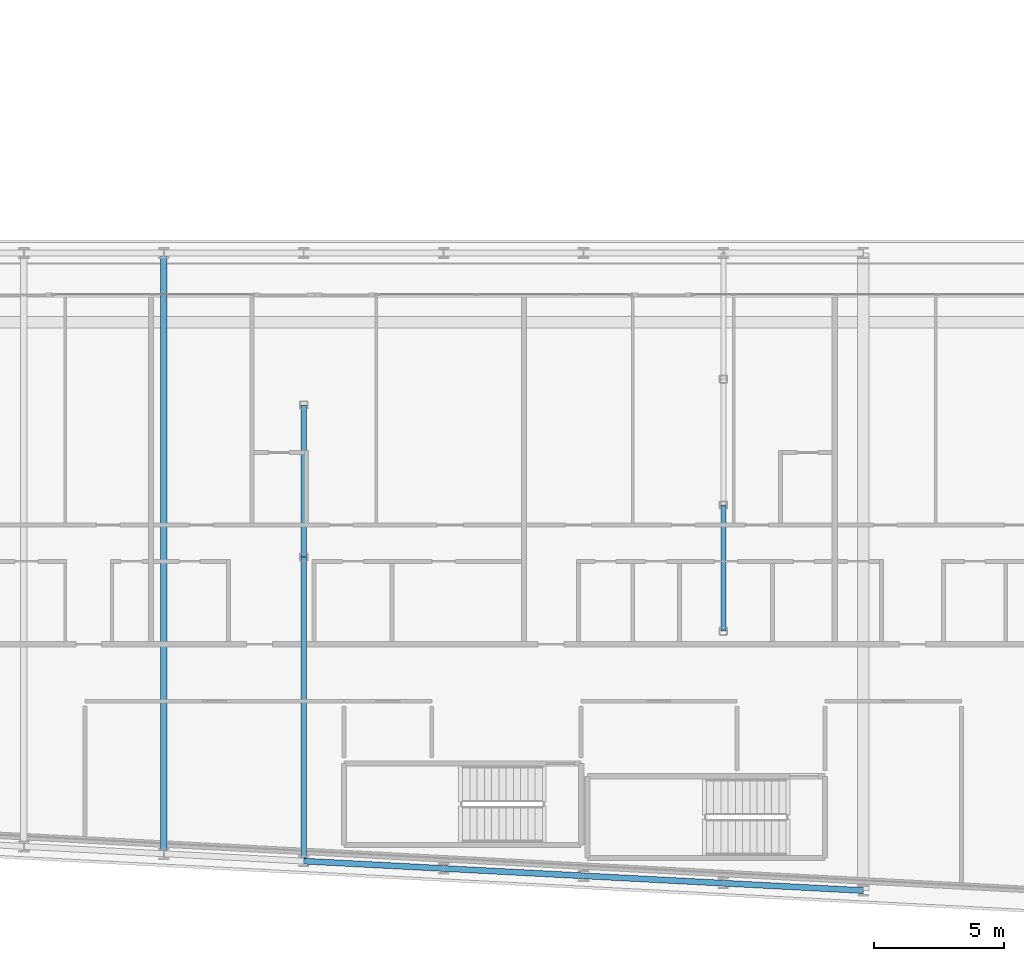
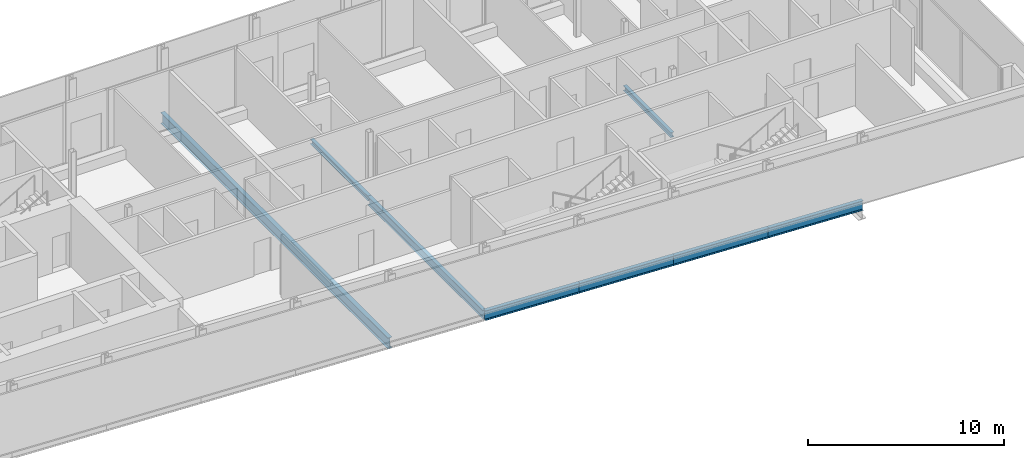
# One storey, part 7 of 29: 8 beams.
"""IFC4 building model written with IfcOpenShell, lengths in metres."""

from ifc_helpers import new_model, si_unit, direction, frame, origin, origin_2d, place, context, subcontext, project, spatial, i_section, extrude, material, material_profile, profile_set, type_object, element, save


model = new_model("IFC4")

# Units and contexts
model_context = context("Model", 3, precision=1e-05, world=origin(), true_north=direction((0.0, 1.0)))
body_context = subcontext(model_context, "Body", "Model", "MODEL_VIEW")
ifc_project = project(units=[si_unit("LENGTHUNIT", "METRE"), si_unit("AREAUNIT", "SQUARE_METRE"), si_unit("VOLUMEUNIT", "CUBIC_METRE"), si_unit("PLANEANGLEUNIT", "RADIAN"), si_unit("MASSUNIT", "GRAM", prefix="KILO")], contexts=[model_context])

# Site, building, storey
site_placement = place(None, origin())
site = spatial("IfcSite", under=ifc_project, at=site_placement, CompositionType="ELEMENT")
building_placement = place(site_placement, origin())
building = spatial("IfcBuilding", under=site, at=building_placement, Name="Kheshtan School and Residences Tower", CompositionType="ELEMENT")
storey_placement = place(building_placement, frame((0.0, 0.0, 176.0)))
storey = spatial("IfcBuildingStorey", under=building, at=storey_placement, Name="L41", CompositionType="ELEMENT", Elevation=176.0)

# Beams
ifc_material = material(Name="Steel ASTM A992 Grade 50", Category="steel")
ifc_material_profile_1 = material_profile(ifc_material, i_section(OverallWidth=0.202880859375, OverallDepth=0.302978515625, WebThickness=0.007568359375, FlangeThickness=0.01318359375, FilletRadius=0.009033203125, at=origin_2d()), Name="W310x60")
ifc_profile_set_1 = profile_set([ifc_material_profile_1], Name="Steel ASTM A992 Grade 50")
beam_type_1 = type_object("IfcBeamType", Name="Beam FB1 W310x60 ASTM A992 Grade 50", PredefinedType="BEAM", material=ifc_profile_set_1)
beam_1_placement = place(storey_placement, frame((85.39990234375, 31.0048828125, -0.301513671875), z_axis=(0.0, 1.0, 0.0), x_axis=(-1.0, 0.0, 0.0)))
element("IfcBeam", 1, at=beam_1_placement, inside=storey, type_object=beam_type_1, Name="Floor beam IC", PredefinedType="BEAM", context=body_context, shape_type="SweptSolid", body=[
    extrude(i_section(OverallWidth=0.202880859375, OverallDepth=0.302978515625, WebThickness=0.007568359375, FlangeThickness=0.01318359375, FilletRadius=0.009033203125, at=origin_2d()), origin(), (0.0, 0.0, 1.0), 4.865234375),
])
beam_2_placement = place(storey_placement, frame((69.199951171875, 33.863037109375, -0.301513671875), z_axis=(0.0, 1.0, 0.0), x_axis=(-1.0, 0.0, 0.0)))
element("IfcBeam", 2, at=beam_2_placement, inside=storey, type_object=beam_type_1, Name="Floor beam IC", PredefinedType="BEAM", context=body_context, shape_type="SweptSolid", body=[
    extrude(i_section(OverallWidth=0.202880859375, OverallDepth=0.302978515625, WebThickness=0.007568359375, FlangeThickness=0.01318359375, FilletRadius=0.009033203125, at=origin_2d()), origin(), (0.0, 0.0, 1.0), 5.868896484375),
])
ifc_material_profile_2 = material_profile(ifc_material, i_section(OverallWidth=0.208984375, OverallDepth=0.532958984375, WebThickness=0.01025390625, FlangeThickness=0.015625, FilletRadius=0.013916015625, at=origin_2d()), Name="W530x92")
ifc_profile_set_2 = profile_set([ifc_material_profile_2], Name="Steel ASTM A992 Grade 50")
beam_type_2 = type_object("IfcBeamType", Name="Beam FB4 W530x92 ASTM A992 Grade 50", PredefinedType="BEAM", material=ifc_profile_set_2)
beam_3_placement = place(storey_placement, frame((69.199951171875, 22.126953125, -0.41650390625), z_axis=(0.0, 1.0, 0.0), x_axis=(-1.0, 0.0, 0.0)))
element("IfcBeam", 3, at=beam_3_placement, inside=storey, type_object=beam_type_2, Name="Floor beam C014", PredefinedType="BEAM", context=body_context, shape_type="SweptSolid", body=[
    extrude(i_section(OverallWidth=0.208984375, OverallDepth=0.532958984375, WebThickness=0.01025390625, FlangeThickness=0.015625, FilletRadius=0.013916015625, at=origin_2d()), origin(), (0.0, 0.0, 1.0), 11.736083984375),
])
ifc_material_profile_3 = material_profile(ifc_material, i_section(OverallWidth=0.2529296875, OverallDepth=0.677978515625, WebThickness=0.01171875, FlangeThickness=0.016357421875, FilletRadius=0.0146484375, at=origin_2d()), Name="W690x125")
ifc_profile_set_3 = profile_set([ifc_material_profile_3], Name="Steel ASTM A992 Grade 50")
beam_type_3 = type_object("IfcBeamType", Name="Beam FB6 W690x125 ASTM A992 Grade 50", PredefinedType="BEAM", material=ifc_profile_set_3)
beam_4_placement = place(storey_placement, frame((63.800048828125, 45.60009765625, -0.489013671875), z_axis=(0.0, -1.0, 0.0), x_axis=(1.0, 0.0, 0.0)))
element("IfcBeam", 4, at=beam_4_placement, inside=storey, type_object=beam_type_3, Name="Floor beam C063", PredefinedType="BEAM", context=body_context, shape_type="SweptSolid", body=[
    extrude(i_section(OverallWidth=0.2529296875, OverallDepth=0.677978515625, WebThickness=0.01171875, FlangeThickness=0.016357421875, FilletRadius=0.0146484375, at=origin_2d()), origin(), (0.0, 0.0, 1.0), 23.189208984375),
])
ifc_material_profile_4 = material_profile(ifc_material, i_section(OverallWidth=0.22802734375, OverallDepth=0.60302734375, WebThickness=0.010498046875, FlangeThickness=0.014892578125, FilletRadius=0.013427734375, at=origin_2d()), Name="W610x101")
ifc_profile_set_4 = profile_set([ifc_material_profile_4], Name="Steel ASTM A992 Grade 50")
beam_type_4 = type_object("IfcBeamType", Name="Beam SP2 W610x101 ASTM A992 Grade 50", PredefinedType="BEAM", material=ifc_profile_set_4)
beam_5_placement = place(storey_placement, frame((90.800048828125, 20.989990234375, -0.451416015625), z_axis=(-0.998620571751, 0.05250670125, 0.0), x_axis=(-0.05250670125, -0.998620571751, 0.0)))
element("IfcBeam", 5, at=beam_5_placement, inside=storey, type_object=beam_type_4, Name="Spandrel beam C006-C008", PredefinedType="BEAM", context=body_context, shape_type="SweptSolid", body=[
    extrude(i_section(OverallWidth=0.22802734375, OverallDepth=0.60302734375, WebThickness=0.010498046875, FlangeThickness=0.014892578125, FilletRadius=0.013427734375, at=origin_2d()), origin(), (0.0, 0.0, 1.0), 5.40771484375),
])
for number, where, z_axis, x_axis, name in (
    (6, (85.39990234375, 21.27392578125, -0.451416015625), (-0.998618078766, 0.052554093665, 0.0), (-0.052554093665, -0.998618078766, 0.0), "Spandrel beam C008-C012"),
    (7, (80.0, 21.55810546875, -0.451416015625), (-0.998610961136, 0.052689166816, 0.0), (-0.052689166816, -0.998610961136, 0.0), "Spandrel beam C012-C013"),
):
    element("IfcBeam", number, at=place(storey_placement, frame(where, z_axis=z_axis, x_axis=x_axis)), inside=storey, type_object=beam_type_4, Name=name, PredefinedType="BEAM", context=body_context, shape_type="SweptSolid", body=[
        extrude(i_section(OverallWidth=0.22802734375, OverallDepth=0.60302734375, WebThickness=0.010498046875, FlangeThickness=0.014892578125, FilletRadius=0.013427734375, at=origin_2d()), origin(), (0.0, 0.0, 1.0), 5.407470703125),
    ])
beam_6_placement = place(storey_placement, frame((74.60009765625, 21.843017578125, -0.451416015625), z_axis=(-0.998620571751, 0.05250670125, 0.0), x_axis=(-0.05250670125, -0.998620571751, 0.0)))
element("IfcBeam", 8, at=beam_6_placement, inside=storey, type_object=beam_type_4, Name="Spandrel beam C013-C014", PredefinedType="BEAM", context=body_context, shape_type="SweptSolid", body=[
    extrude(i_section(OverallWidth=0.22802734375, OverallDepth=0.60302734375, WebThickness=0.010498046875, FlangeThickness=0.014892578125, FilletRadius=0.013427734375, at=origin_2d()), origin(), (0.0, 0.0, 1.0), 5.40771484375),
])

save(model, "model.ifc")
